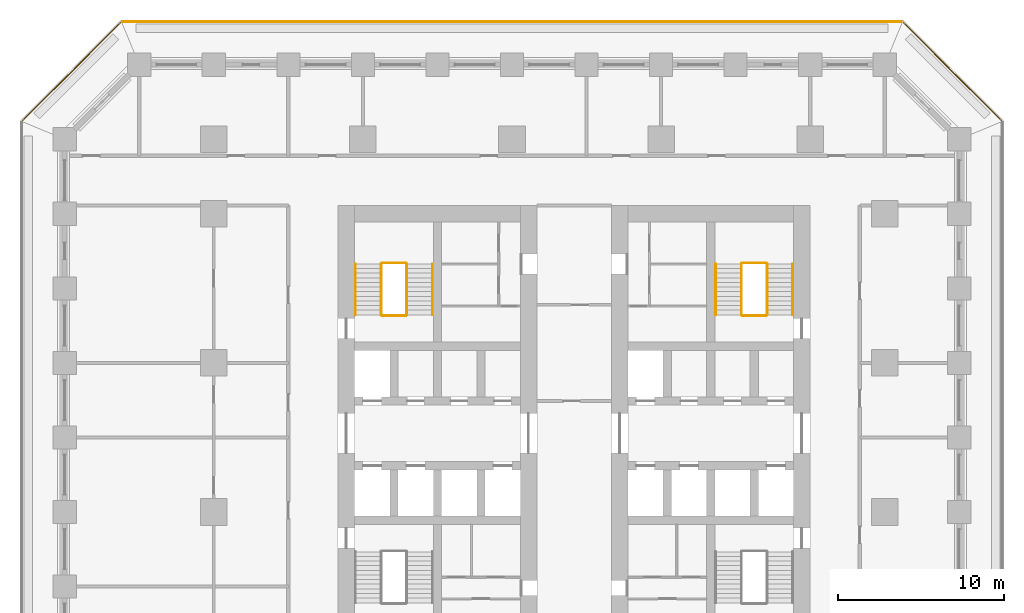
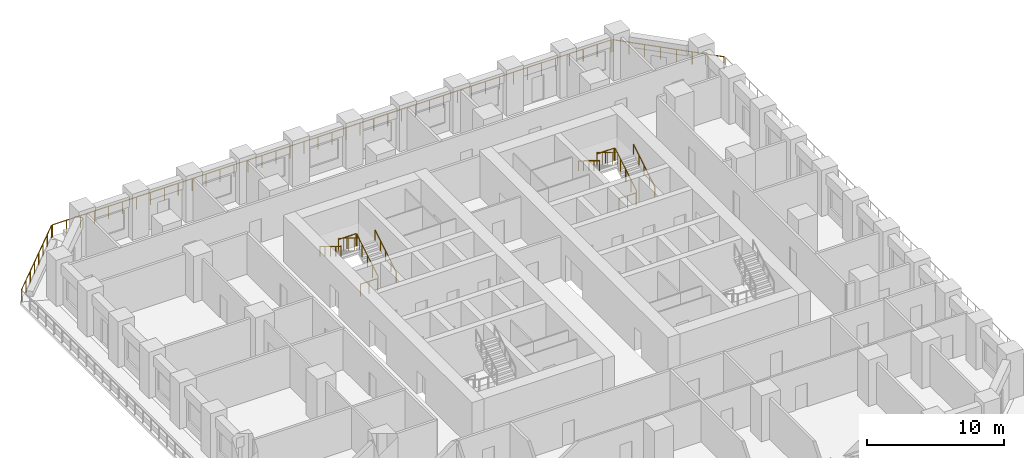
# One storey, part 11 of 12: 15 railings.
"""IFC4 building model written with IfcOpenShell, lengths in metres."""

from ifc_helpers import new_model, si_unit, direction, frame, origin, origin_2d, place, context, subcontext, project, spatial, circle, extrude, material, type_object, element, save


model = new_model("IFC4")

# Units and contexts
model_context = context("Model", 3, precision=1e-05, world=origin(), true_north=direction((0.0, 1.0)))
body_context = subcontext(model_context, "Body", "Model", "MODEL_VIEW")
ifc_project = project(units=[si_unit("LENGTHUNIT", "METRE"), si_unit("AREAUNIT", "SQUARE_METRE"), si_unit("VOLUMEUNIT", "CUBIC_METRE"), si_unit("PLANEANGLEUNIT", "RADIAN"), si_unit("MASSUNIT", "GRAM", prefix="KILO")], contexts=[model_context])

# Site, building, storey
site_placement = place(None, origin())
site = spatial("IfcSite", under=ifc_project, at=site_placement, CompositionType="ELEMENT")
building_placement = place(site_placement, origin())
building = spatial("IfcBuilding", under=site, at=building_placement, Name="Corbel Stack Research Tower", CompositionType="ELEMENT")
storey_placement = place(building_placement, frame((0.0, 0.0, 27.699951171875)))
storey = spatial("IfcBuildingStorey", under=building, at=storey_placement, Name="L06", CompositionType="ELEMENT", Elevation=27.699951171875)

# Railings
ifc_material_1 = material(Name="Steel S355", Category="steel")
railing_type_1 = type_object("IfcRailingType", Name="Stair guard 1100", PredefinedType="GUARDRAIL", material=ifc_material_1)
railing_1_placement = place(storey_placement, frame((-6.35009765625, 11.89990234375, 0.1708984375)))
element("IfcRailing", 1, at=railing_1_placement, inside=storey, type_object=railing_type_1, Name="L06 ST-W2 stair guard 1", PredefinedType="GUARDRAIL", context=body_context, shape_type="SweptSolid", body=[
    extrude(circle(Radius=0.02392578125, at=origin_2d()), frame((0.0, 0.0, 1.076171875), z_axis=(0.0, 0.853666305674, 0.52082035152), x_axis=(-1.0, 0.0, 0.0)), (0.0, 0.0, 1.0), 3.608154296875),
    extrude(circle(Radius=0.02099609375, at=origin_2d()), origin(), (0.0, 0.0, 1.0), 1.052001953125),
    extrude(circle(Radius=0.02099609375, at=origin_2d()), frame((0.0, 0.77001953125, 0.4697265625)), (0.0, 0.0, 1.0), 1.052001953125),
    extrude(circle(Radius=0.02099609375, at=origin_2d()), frame((0.0, 1.5400390625, 0.939453125)), (0.0, 0.0, 1.0), 1.052001953125),
    extrude(circle(Radius=0.02099609375, at=origin_2d()), frame((0.0, 2.31005859375, 1.409423828125)), (0.0, 0.0, 1.0), 1.052001953125),
    extrude(circle(Radius=0.02099609375, at=origin_2d()), frame((0.0, 3.080078125, 1.879150390625)), (0.0, 0.0, 1.0), 1.052001953125),
])
railing_2_placement = place(storey_placement, frame((-6.39990234375, 15.030029296875, 2.050048828125)))
element("IfcRailing", 2, at=railing_2_placement, inside=storey, type_object=railing_type_1, Name="L06 ST-W2 stair guard 2", PredefinedType="GUARDRAIL", context=body_context, shape_type="SweptSolid", body=[
    extrude(circle(Radius=0.02392578125, at=origin_2d()), frame((0.0, 0.0, 1.076171875), z_axis=(-1.0, 0.0, 0.0), x_axis=(0.0, -1.0, 0.0)), (0.0, 0.0, 1.0), 1.4501953125),
    extrude(circle(Radius=0.02099609375, at=origin_2d()), origin(), (0.0, 0.0, 1.0), 1.052001953125),
    extrude(circle(Radius=0.02099609375, at=origin_2d()), frame((-0.72509765625, 0.0, 0.0)), (0.0, 0.0, 1.0), 1.052001953125),
    extrude(circle(Radius=0.02099609375, at=origin_2d()), frame((-1.4501953125, 0.0, 0.0)), (0.0, 0.0, 1.0), 1.052001953125),
])
railing_3_placement = place(storey_placement, frame((-7.89990234375, 14.97998046875, 2.220947265625)))
element("IfcRailing", 3, at=railing_3_placement, inside=storey, type_object=railing_type_1, Name="L06 ST-W2 stair guard 3", PredefinedType="GUARDRAIL", context=body_context, shape_type="SweptSolid", body=[
    extrude(circle(Radius=0.02392578125, at=origin_2d()), frame((0.0, 0.0, 1.076171875), z_axis=(0.0, -0.853666305674, 0.52082035152), x_axis=(1.0, 0.0, 0.0)), (0.0, 0.0, 1.0), 3.608154296875),
    extrude(circle(Radius=0.02099609375, at=origin_2d()), origin(), (0.0, 0.0, 1.0), 1.052001953125),
    extrude(circle(Radius=0.02099609375, at=origin_2d()), frame((0.0, -0.77001953125, 0.4697265625)), (0.0, 0.0, 1.0), 1.052001953125),
    extrude(circle(Radius=0.02099609375, at=origin_2d()), frame((0.0, -1.5400390625, 0.939453125)), (0.0, 0.0, 1.0), 1.052001953125),
    extrude(circle(Radius=0.02099609375, at=origin_2d()), frame((0.0, -2.31005859375, 1.409423828125)), (0.0, 0.0, 1.0), 1.052001953125),
    extrude(circle(Radius=0.02099609375, at=origin_2d()), frame((0.0, -3.080078125, 1.879150390625)), (0.0, 0.0, 1.0), 1.052001953125),
])
railing_4_placement = place(storey_placement, frame((-6.39990234375, 11.85009765625, 0.0)))
element("IfcRailing", 4, at=railing_4_placement, inside=storey, type_object=railing_type_1, Name="L06 ST-W2 stair guard 4", PredefinedType="GUARDRAIL", context=body_context, shape_type="SweptSolid", body=[
    extrude(circle(Radius=0.02392578125, at=origin_2d()), frame((0.0, 0.0, 1.076171875), z_axis=(-1.0, 0.0, 0.0), x_axis=(0.0, -1.0, 0.0)), (0.0, 0.0, 1.0), 1.4501953125),
    extrude(circle(Radius=0.02099609375, at=origin_2d()), origin(), (0.0, 0.0, 1.0), 1.052001953125),
    extrude(circle(Radius=0.02099609375, at=origin_2d()), frame((-0.72509765625, 0.0, 0.0)), (0.0, 0.0, 1.0), 1.052001953125),
    extrude(circle(Radius=0.02099609375, at=origin_2d()), frame((-1.4501953125, 0.0, 0.0)), (0.0, 0.0, 1.0), 1.052001953125),
])
railing_5_placement = place(storey_placement, frame((15.39990234375, 11.89990234375, 0.1708984375)))
element("IfcRailing", 5, at=railing_5_placement, inside=storey, type_object=railing_type_1, Name="L06 ST-E2 stair guard 1", PredefinedType="GUARDRAIL", context=body_context, shape_type="SweptSolid", body=[
    extrude(circle(Radius=0.02392578125, at=origin_2d()), frame((0.0, 0.0, 1.076171875), z_axis=(0.0, 0.853666305674, 0.52082035152), x_axis=(-1.0, 0.0, 0.0)), (0.0, 0.0, 1.0), 3.608154296875),
    extrude(circle(Radius=0.02099609375, at=origin_2d()), origin(), (0.0, 0.0, 1.0), 1.052001953125),
    extrude(circle(Radius=0.02099609375, at=origin_2d()), frame((0.0, 0.77001953125, 0.4697265625)), (0.0, 0.0, 1.0), 1.052001953125),
    extrude(circle(Radius=0.02099609375, at=origin_2d()), frame((0.0, 1.5400390625, 0.939453125)), (0.0, 0.0, 1.0), 1.052001953125),
    extrude(circle(Radius=0.02099609375, at=origin_2d()), frame((0.0, 2.31005859375, 1.409423828125)), (0.0, 0.0, 1.0), 1.052001953125),
    extrude(circle(Radius=0.02099609375, at=origin_2d()), frame((0.0, 3.080078125, 1.879150390625)), (0.0, 0.0, 1.0), 1.052001953125),
])
railing_6_placement = place(storey_placement, frame((15.35009765625, 15.030029296875, 2.050048828125)))
element("IfcRailing", 6, at=railing_6_placement, inside=storey, type_object=railing_type_1, Name="L06 ST-E2 stair guard 2", PredefinedType="GUARDRAIL", context=body_context, shape_type="SweptSolid", body=[
    extrude(circle(Radius=0.02392578125, at=origin_2d()), frame((0.0, 0.0, 1.076171875), z_axis=(-1.0, 0.0, 0.0), x_axis=(0.0, -1.0, 0.0)), (0.0, 0.0, 1.0), 1.4501953125),
    extrude(circle(Radius=0.02099609375, at=origin_2d()), origin(), (0.0, 0.0, 1.0), 1.052001953125),
    extrude(circle(Radius=0.02099609375, at=origin_2d()), frame((-0.72509765625, 0.0, 0.0)), (0.0, 0.0, 1.0), 1.052001953125),
    extrude(circle(Radius=0.02099609375, at=origin_2d()), frame((-1.4501953125, 0.0, 0.0)), (0.0, 0.0, 1.0), 1.052001953125),
])
railing_7_placement = place(storey_placement, frame((13.85009765625, 14.97998046875, 2.220947265625)))
element("IfcRailing", 7, at=railing_7_placement, inside=storey, type_object=railing_type_1, Name="L06 ST-E2 stair guard 3", PredefinedType="GUARDRAIL", context=body_context, shape_type="SweptSolid", body=[
    extrude(circle(Radius=0.02392578125, at=origin_2d()), frame((0.0, 0.0, 1.076171875), z_axis=(0.0, -0.853666305674, 0.52082035152), x_axis=(1.0, 0.0, 0.0)), (0.0, 0.0, 1.0), 3.608154296875),
    extrude(circle(Radius=0.02099609375, at=origin_2d()), origin(), (0.0, 0.0, 1.0), 1.052001953125),
    extrude(circle(Radius=0.02099609375, at=origin_2d()), frame((0.0, -0.77001953125, 0.4697265625)), (0.0, 0.0, 1.0), 1.052001953125),
    extrude(circle(Radius=0.02099609375, at=origin_2d()), frame((0.0, -1.5400390625, 0.939453125)), (0.0, 0.0, 1.0), 1.052001953125),
    extrude(circle(Radius=0.02099609375, at=origin_2d()), frame((0.0, -2.31005859375, 1.409423828125)), (0.0, 0.0, 1.0), 1.052001953125),
    extrude(circle(Radius=0.02099609375, at=origin_2d()), frame((0.0, -3.080078125, 1.879150390625)), (0.0, 0.0, 1.0), 1.052001953125),
])
railing_8_placement = place(storey_placement, frame((15.35009765625, 11.85009765625, 0.0)))
element("IfcRailing", 8, at=railing_8_placement, inside=storey, type_object=railing_type_1, Name="L06 ST-E2 stair guard 4", PredefinedType="GUARDRAIL", context=body_context, shape_type="SweptSolid", body=[
    extrude(circle(Radius=0.02392578125, at=origin_2d()), frame((0.0, 0.0, 1.076171875), z_axis=(-1.0, 0.0, 0.0), x_axis=(0.0, -1.0, 0.0)), (0.0, 0.0, 1.0), 1.4501953125),
    extrude(circle(Radius=0.02099609375, at=origin_2d()), origin(), (0.0, 0.0, 1.0), 1.052001953125),
    extrude(circle(Radius=0.02099609375, at=origin_2d()), frame((-0.72509765625, 0.0, 0.0)), (0.0, 0.0, 1.0), 1.052001953125),
    extrude(circle(Radius=0.02099609375, at=origin_2d()), frame((-1.4501953125, 0.0, 0.0)), (0.0, 0.0, 1.0), 1.052001953125),
])
ifc_material_2 = material(Name="Steel S355", Category="steel")
railing_type_2 = type_object("IfcRailingType", Name="Stair handrail 900", PredefinedType="HANDRAIL", material=ifc_material_2)
railing_9_placement = place(storey_placement, frame((-4.800048828125, 11.89990234375, 0.1708984375)))
element("IfcRailing", 9, at=railing_9_placement, inside=storey, type_object=railing_type_2, Name="L06 ST-W2 stair handrail 1", PredefinedType="HANDRAIL", context=body_context, shape_type="SweptSolid", body=[
    extrude(circle(Radius=0.02392578125, at=origin_2d()), frame((0.0, 0.0, 0.8759765625), z_axis=(0.0, 0.853666305674, 0.52082035152), x_axis=(-1.0, 0.0, 0.0)), (0.0, 0.0, 1.0), 3.608154296875),
    extrude(circle(Radius=0.02099609375, at=origin_2d()), origin(), (0.0, 0.0, 1.0), 0.851806640625),
    extrude(circle(Radius=0.02099609375, at=origin_2d()), frame((0.0, 0.77001953125, 0.4697265625)), (0.0, 0.0, 1.0), 0.851806640625),
    extrude(circle(Radius=0.02099609375, at=origin_2d()), frame((0.0, 1.5400390625, 0.939453125)), (0.0, 0.0, 1.0), 0.851806640625),
    extrude(circle(Radius=0.02099609375, at=origin_2d()), frame((0.0, 2.31005859375, 1.409423828125)), (0.0, 0.0, 1.0), 0.851806640625),
    extrude(circle(Radius=0.02099609375, at=origin_2d()), frame((0.0, 3.080078125, 1.879150390625)), (0.0, 0.0, 1.0), 0.851806640625),
])
railing_10_placement = place(storey_placement, frame((-9.449951171875, 14.97998046875, 2.220947265625)))
element("IfcRailing", 10, at=railing_10_placement, inside=storey, type_object=railing_type_2, Name="L06 ST-W2 stair handrail 2", PredefinedType="HANDRAIL", context=body_context, shape_type="SweptSolid", body=[
    extrude(circle(Radius=0.02392578125, at=origin_2d()), frame((0.0, 0.0, 0.8759765625), z_axis=(0.0, -0.853666305674, 0.52082035152), x_axis=(1.0, 0.0, 0.0)), (0.0, 0.0, 1.0), 3.608154296875),
    extrude(circle(Radius=0.02099609375, at=origin_2d()), origin(), (0.0, 0.0, 1.0), 0.851806640625),
    extrude(circle(Radius=0.02099609375, at=origin_2d()), frame((0.0, -0.77001953125, 0.4697265625)), (0.0, 0.0, 1.0), 0.851806640625),
    extrude(circle(Radius=0.02099609375, at=origin_2d()), frame((0.0, -1.5400390625, 0.939453125)), (0.0, 0.0, 1.0), 0.851806640625),
    extrude(circle(Radius=0.02099609375, at=origin_2d()), frame((0.0, -2.31005859375, 1.409423828125)), (0.0, 0.0, 1.0), 0.851806640625),
    extrude(circle(Radius=0.02099609375, at=origin_2d()), frame((0.0, -3.080078125, 1.879150390625)), (0.0, 0.0, 1.0), 0.851806640625),
])
railing_11_placement = place(storey_placement, frame((16.949951171875, 11.89990234375, 0.1708984375)))
element("IfcRailing", 11, at=railing_11_placement, inside=storey, type_object=railing_type_2, Name="L06 ST-E2 stair handrail 1", PredefinedType="HANDRAIL", context=body_context, shape_type="SweptSolid", body=[
    extrude(circle(Radius=0.02392578125, at=origin_2d()), frame((0.0, 0.0, 0.8759765625), z_axis=(0.0, 0.853666305674, 0.52082035152), x_axis=(-1.0, 0.0, 0.0)), (0.0, 0.0, 1.0), 3.608154296875),
    extrude(circle(Radius=0.02099609375, at=origin_2d()), origin(), (0.0, 0.0, 1.0), 0.851806640625),
    extrude(circle(Radius=0.02099609375, at=origin_2d()), frame((0.0, 0.77001953125, 0.4697265625)), (0.0, 0.0, 1.0), 0.851806640625),
    extrude(circle(Radius=0.02099609375, at=origin_2d()), frame((0.0, 1.5400390625, 0.939453125)), (0.0, 0.0, 1.0), 0.851806640625),
    extrude(circle(Radius=0.02099609375, at=origin_2d()), frame((0.0, 2.31005859375, 1.409423828125)), (0.0, 0.0, 1.0), 0.851806640625),
    extrude(circle(Radius=0.02099609375, at=origin_2d()), frame((0.0, 3.080078125, 1.879150390625)), (0.0, 0.0, 1.0), 0.851806640625),
])
railing_12_placement = place(storey_placement, frame((12.300048828125, 14.97998046875, 2.220947265625)))
element("IfcRailing", 12, at=railing_12_placement, inside=storey, type_object=railing_type_2, Name="L06 ST-E2 stair handrail 2", PredefinedType="HANDRAIL", context=body_context, shape_type="SweptSolid", body=[
    extrude(circle(Radius=0.02392578125, at=origin_2d()), frame((0.0, 0.0, 0.8759765625), z_axis=(0.0, -0.853666305674, 0.52082035152), x_axis=(1.0, 0.0, 0.0)), (0.0, 0.0, 1.0), 3.608154296875),
    extrude(circle(Radius=0.02099609375, at=origin_2d()), origin(), (0.0, 0.0, 1.0), 0.851806640625),
    extrude(circle(Radius=0.02099609375, at=origin_2d()), frame((0.0, -0.77001953125, 0.4697265625)), (0.0, 0.0, 1.0), 0.851806640625),
    extrude(circle(Radius=0.02099609375, at=origin_2d()), frame((0.0, -1.5400390625, 0.939453125)), (0.0, 0.0, 1.0), 0.851806640625),
    extrude(circle(Radius=0.02099609375, at=origin_2d()), frame((0.0, -2.31005859375, 1.409423828125)), (0.0, 0.0, 1.0), 0.851806640625),
    extrude(circle(Radius=0.02099609375, at=origin_2d()), frame((0.0, -3.080078125, 1.879150390625)), (0.0, 0.0, 1.0), 0.851806640625),
])
ifc_material_3 = material(Name="Powder-coated steel guard", Category="steel")
railing_type_3 = type_object("IfcRailingType", Name="Steel and glass guard 1100", PredefinedType="GUARDRAIL", material=ifc_material_3)
railing_13_placement = place(storey_placement, frame((29.54931640625, 23.627685546875, 0.0)))
element("IfcRailing", 13, at=railing_13_placement, inside=storey, type_object=railing_type_3, Name="Loggia guard L06 NE", PredefinedType="GUARDRAIL", context=body_context, shape_type="SweptSolid", body=[
    extrude(circle(Radius=0.02392578125, at=origin_2d()), frame((0.0, 0.0, 1.076171875), z_axis=(-0.707106781187, 0.707106781187, 0.0), x_axis=(-0.707106781187, -0.707106781187, 0.0)), (0.0, 0.0, 1.0), 8.37451171875),
    extrude(circle(Radius=0.02099609375, at=origin_2d()), origin(), (0.0, 0.0, 1.0), 1.052001953125),
    extrude(circle(Radius=0.02099609375, at=origin_2d()), frame((-0.845947265625, 0.845947265625, 0.0)), (0.0, 0.0, 1.0), 1.052001953125),
    extrude(circle(Radius=0.02099609375, at=origin_2d()), frame((-1.69189453125, 1.69189453125, 0.0)), (0.0, 0.0, 1.0), 1.052001953125),
    extrude(circle(Radius=0.02099609375, at=origin_2d()), frame((-2.537841796875, 2.537841796875, 0.0)), (0.0, 0.0, 1.0), 1.052001953125),
    extrude(circle(Radius=0.02099609375, at=origin_2d()), frame((-3.3837890625, 3.3837890625, 0.0)), (0.0, 0.0, 1.0), 1.052001953125),
    extrude(circle(Radius=0.02099609375, at=origin_2d()), frame((-4.229736328125, 4.229736328125, 0.0)), (0.0, 0.0, 1.0), 1.052001953125),
    extrude(circle(Radius=0.02099609375, at=origin_2d()), frame((-5.07568359375, 5.07568359375, 0.0)), (0.0, 0.0, 1.0), 1.052001953125),
    extrude(circle(Radius=0.02099609375, at=origin_2d()), frame((-5.921630859375, 5.921630859375, 0.0)), (0.0, 0.0, 1.0), 1.052001953125),
])
railing_14_placement = place(storey_placement, frame((23.50537109375, 29.60009765625, 0.0)))
element("IfcRailing", 14, at=railing_14_placement, inside=storey, type_object=railing_type_3, Name="Loggia guard L06 N", PredefinedType="GUARDRAIL", context=body_context, shape_type="SweptSolid", body=[
    extrude(circle(Radius=0.02392578125, at=origin_2d()), frame((0.0, 0.0, 1.076171875), z_axis=(-1.0, 0.0, 0.0), x_axis=(0.0, -1.0, 0.0)), (0.0, 0.0, 1.0), 47.0107421875),
    extrude(circle(Radius=0.02099609375, at=origin_2d()), origin(), (0.0, 0.0, 1.0), 1.052001953125),
    extrude(circle(Radius=0.02099609375, at=origin_2d()), frame((-1.17529296875, 0.0, 0.0)), (0.0, 0.0, 1.0), 1.052001953125),
    extrude(circle(Radius=0.02099609375, at=origin_2d()), frame((-2.3505859375, 0.0, 0.0)), (0.0, 0.0, 1.0), 1.052001953125),
    extrude(circle(Radius=0.02099609375, at=origin_2d()), frame((-3.52587890625, 0.0, 0.0)), (0.0, 0.0, 1.0), 1.052001953125),
    extrude(circle(Radius=0.02099609375, at=origin_2d()), frame((-4.701171875, 0.0, 0.0)), (0.0, 0.0, 1.0), 1.052001953125),
    extrude(circle(Radius=0.02099609375, at=origin_2d()), frame((-5.87646484375, 0.0, 0.0)), (0.0, 0.0, 1.0), 1.052001953125),
    extrude(circle(Radius=0.02099609375, at=origin_2d()), frame((-7.051513671875, 0.0, 0.0)), (0.0, 0.0, 1.0), 1.052001953125),
    extrude(circle(Radius=0.02099609375, at=origin_2d()), frame((-8.226806640625, 0.0, 0.0)), (0.0, 0.0, 1.0), 1.052001953125),
    extrude(circle(Radius=0.02099609375, at=origin_2d()), frame((-9.402099609375, 0.0, 0.0)), (0.0, 0.0, 1.0), 1.052001953125),
    extrude(circle(Radius=0.02099609375, at=origin_2d()), frame((-10.577392578125, 0.0, 0.0)), (0.0, 0.0, 1.0), 1.052001953125),
    extrude(circle(Radius=0.02099609375, at=origin_2d()), frame((-11.752685546875, 0.0, 0.0)), (0.0, 0.0, 1.0), 1.052001953125),
    extrude(circle(Radius=0.02099609375, at=origin_2d()), frame((-12.927978515625, 0.0, 0.0)), (0.0, 0.0, 1.0), 1.052001953125),
    extrude(circle(Radius=0.02099609375, at=origin_2d()), frame((-14.103271484375, 0.0, 0.0)), (0.0, 0.0, 1.0), 1.052001953125),
    extrude(circle(Radius=0.02099609375, at=origin_2d()), frame((-15.278564453125, 0.0, 0.0)), (0.0, 0.0, 1.0), 1.052001953125),
    extrude(circle(Radius=0.02099609375, at=origin_2d()), frame((-16.453857421875, 0.0, 0.0)), (0.0, 0.0, 1.0), 1.052001953125),
    extrude(circle(Radius=0.02099609375, at=origin_2d()), frame((-17.62890625, 0.0, 0.0)), (0.0, 0.0, 1.0), 1.052001953125),
    extrude(circle(Radius=0.02099609375, at=origin_2d()), frame((-18.80419921875, 0.0, 0.0)), (0.0, 0.0, 1.0), 1.052001953125),
    extrude(circle(Radius=0.02099609375, at=origin_2d()), frame((-19.9794921875, 0.0, 0.0)), (0.0, 0.0, 1.0), 1.052001953125),
    extrude(circle(Radius=0.02099609375, at=origin_2d()), frame((-21.15478515625, 0.0, 0.0)), (0.0, 0.0, 1.0), 1.052001953125),
    extrude(circle(Radius=0.02099609375, at=origin_2d()), frame((-22.330078125, 0.0, 0.0)), (0.0, 0.0, 1.0), 1.052001953125),
    extrude(circle(Radius=0.02099609375, at=origin_2d()), frame((-23.50537109375, 0.0, 0.0)), (0.0, 0.0, 1.0), 1.052001953125),
    extrude(circle(Radius=0.02099609375, at=origin_2d()), frame((-24.6806640625, 0.0, 0.0)), (0.0, 0.0, 1.0), 1.052001953125),
    extrude(circle(Radius=0.02099609375, at=origin_2d()), frame((-25.85595703125, 0.0, 0.0)), (0.0, 0.0, 1.0), 1.052001953125),
    extrude(circle(Radius=0.02099609375, at=origin_2d()), frame((-27.03125, 0.0, 0.0)), (0.0, 0.0, 1.0), 1.052001953125),
    extrude(circle(Radius=0.02099609375, at=origin_2d()), frame((-28.20654296875, 0.0, 0.0)), (0.0, 0.0, 1.0), 1.052001953125),
    extrude(circle(Radius=0.02099609375, at=origin_2d()), frame((-29.3818359375, 0.0, 0.0)), (0.0, 0.0, 1.0), 1.052001953125),
    extrude(circle(Radius=0.02099609375, at=origin_2d()), frame((-30.556884765625, 0.0, 0.0)), (0.0, 0.0, 1.0), 1.052001953125),
    extrude(circle(Radius=0.02099609375, at=origin_2d()), frame((-31.732177734375, 0.0, 0.0)), (0.0, 0.0, 1.0), 1.052001953125),
    extrude(circle(Radius=0.02099609375, at=origin_2d()), frame((-32.907470703125, 0.0, 0.0)), (0.0, 0.0, 1.0), 1.052001953125),
    extrude(circle(Radius=0.02099609375, at=origin_2d()), frame((-34.082763671875, 0.0, 0.0)), (0.0, 0.0, 1.0), 1.052001953125),
    extrude(circle(Radius=0.02099609375, at=origin_2d()), frame((-35.258056640625, 0.0, 0.0)), (0.0, 0.0, 1.0), 1.052001953125),
    extrude(circle(Radius=0.02099609375, at=origin_2d()), frame((-36.433349609375, 0.0, 0.0)), (0.0, 0.0, 1.0), 1.052001953125),
    extrude(circle(Radius=0.02099609375, at=origin_2d()), frame((-37.608642578125, 0.0, 0.0)), (0.0, 0.0, 1.0), 1.052001953125),
    extrude(circle(Radius=0.02099609375, at=origin_2d()), frame((-38.783935546875, 0.0, 0.0)), (0.0, 0.0, 1.0), 1.052001953125),
    extrude(circle(Radius=0.02099609375, at=origin_2d()), frame((-39.959228515625, 0.0, 0.0)), (0.0, 0.0, 1.0), 1.052001953125),
    extrude(circle(Radius=0.02099609375, at=origin_2d()), frame((-41.13427734375, 0.0, 0.0)), (0.0, 0.0, 1.0), 1.052001953125),
    extrude(circle(Radius=0.02099609375, at=origin_2d()), frame((-42.3095703125, 0.0, 0.0)), (0.0, 0.0, 1.0), 1.052001953125),
    extrude(circle(Radius=0.02099609375, at=origin_2d()), frame((-43.48486328125, 0.0, 0.0)), (0.0, 0.0, 1.0), 1.052001953125),
    extrude(circle(Radius=0.02099609375, at=origin_2d()), frame((-44.66015625, 0.0, 0.0)), (0.0, 0.0, 1.0), 1.052001953125),
    extrude(circle(Radius=0.02099609375, at=origin_2d()), frame((-45.83544921875, 0.0, 0.0)), (0.0, 0.0, 1.0), 1.052001953125),
    extrude(circle(Radius=0.02099609375, at=origin_2d()), frame((-47.0107421875, 0.0, 0.0)), (0.0, 0.0, 1.0), 1.052001953125),
])
railing_15_placement = place(storey_placement, frame((-23.627685546875, 29.54931640625, 0.0)))
element("IfcRailing", 15, at=railing_15_placement, inside=storey, type_object=railing_type_3, Name="Loggia guard L06 NW", PredefinedType="GUARDRAIL", context=body_context, shape_type="SweptSolid", body=[
    extrude(circle(Radius=0.02392578125, at=origin_2d()), frame((0.0, 0.0, 1.076171875), z_axis=(-0.707106781187, -0.707106781187, 0.0), x_axis=(0.707106781187, -0.707106781187, 0.0)), (0.0, 0.0, 1.0), 8.37451171875),
    extrude(circle(Radius=0.02099609375, at=origin_2d()), origin(), (0.0, 0.0, 1.0), 1.052001953125),
    extrude(circle(Radius=0.02099609375, at=origin_2d()), frame((-0.845947265625, -0.845947265625, 0.0)), (0.0, 0.0, 1.0), 1.052001953125),
    extrude(circle(Radius=0.02099609375, at=origin_2d()), frame((-1.69189453125, -1.69189453125, 0.0)), (0.0, 0.0, 1.0), 1.052001953125),
    extrude(circle(Radius=0.02099609375, at=origin_2d()), frame((-2.537841796875, -2.537841796875, 0.0)), (0.0, 0.0, 1.0), 1.052001953125),
    extrude(circle(Radius=0.02099609375, at=origin_2d()), frame((-3.3837890625, -3.3837890625, 0.0)), (0.0, 0.0, 1.0), 1.052001953125),
    extrude(circle(Radius=0.02099609375, at=origin_2d()), frame((-4.229736328125, -4.229736328125, 0.0)), (0.0, 0.0, 1.0), 1.052001953125),
    extrude(circle(Radius=0.02099609375, at=origin_2d()), frame((-5.07568359375, -5.07568359375, 0.0)), (0.0, 0.0, 1.0), 1.052001953125),
    extrude(circle(Radius=0.02099609375, at=origin_2d()), frame((-5.921630859375, -5.921630859375, 0.0)), (0.0, 0.0, 1.0), 1.052001953125),
])

save(model, "model.ifc")
